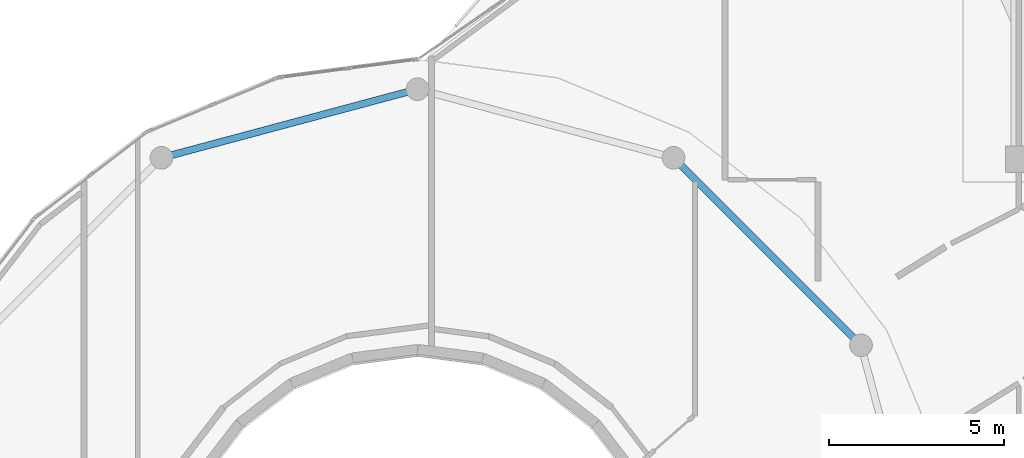
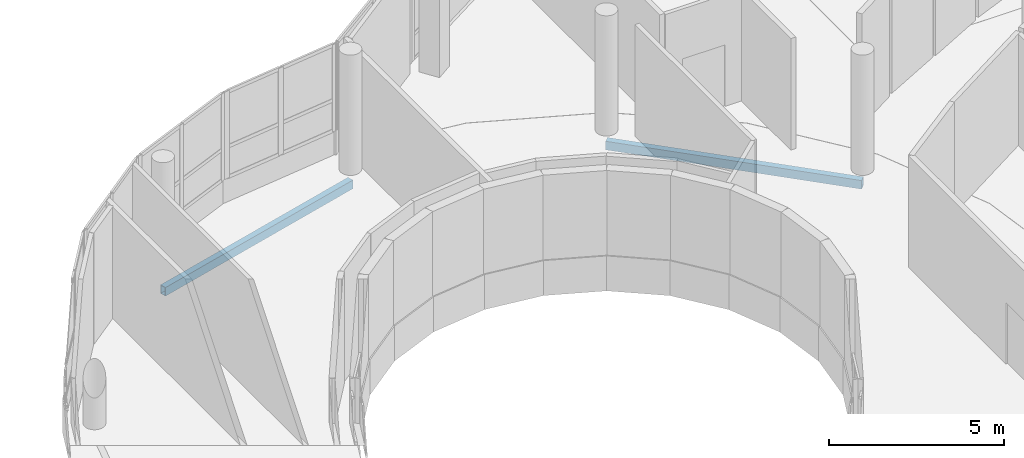
# One storey, part 62 of 184: 2 beams.
"""IFC4 building model written with IfcOpenShell, lengths in metres."""

from ifc_helpers import new_model, si_unit, direction, frame, origin, origin_2d, place, context, subcontext, project, spatial, hollow_rectangle, extrude, material, material_profile, profile_set, type_object, element, save


model = new_model("IFC4")

# Units and contexts
model_context = context("Model", 3, precision=1e-05, world=origin(), true_north=direction((0.0, 1.0)))
body_context = subcontext(model_context, "Body", "Model", "MODEL_VIEW")
ifc_project = project(units=[si_unit("LENGTHUNIT", "METRE"), si_unit("AREAUNIT", "SQUARE_METRE"), si_unit("VOLUMEUNIT", "CUBIC_METRE"), si_unit("PLANEANGLEUNIT", "RADIAN"), si_unit("MASSUNIT", "GRAM", prefix="KILO")], contexts=[model_context])

# Site, building, storey
site_placement = place(None, origin())
site = spatial("IfcSite", under=ifc_project, at=site_placement, CompositionType="ELEMENT")
building_placement = place(site_placement, origin())
building = spatial("IfcBuilding", under=site, at=building_placement, Name="Selatvlak General Hospital", CompositionType="ELEMENT")
storey_placement = place(building_placement, frame((0.0, 0.0, 15.0)))
storey = spatial("IfcBuildingStorey", under=building, at=storey_placement, Name="L03", CompositionType="ELEMENT", Elevation=15.0)

# Beams
ifc_material = material(Name="Steel S355", Category="steel")
ifc_material_profile = material_profile(ifc_material, hollow_rectangle(XDim=0.199951171875, YDim=0.300048828125, WallThickness=0.011962890625, at=origin_2d()), Name="RHS 300x200x12")
ifc_profile_set = profile_set([ifc_material_profile], Name="Steel S355")
beam_type = type_object("IfcBeamType", Name="BM-SP3", PredefinedType="SPANDREL", material=ifc_profile_set)
beam_1_placement = place(storey_placement, frame((110.68701171875, 61.324951171875, -0.489990234375), z_axis=(-0.707106781187, 0.707106781187, 0.0), x_axis=(-0.707106781187, -0.707106781187, 0.0)))
element("IfcBeam", 1, at=beam_1_placement, inside=storey, type_object=beam_type, Name="Beam BMR-L03-1452", PredefinedType="SPANDREL", context=body_context, shape_type="SweptSolid", body=[
    extrude(hollow_rectangle(XDim=0.199951171875, YDim=0.300048828125, WallThickness=0.011962890625, at=origin_2d()), origin(), (0.0, 0.0, 1.0), 7.5830078125),
])
beam_2_placement = place(storey_placement, frame((98.0, 68.64990234375, -0.489990234375), z_axis=(-0.965920028052, -0.25884068345, 0.0), x_axis=(0.25884068345, -0.965920028052, 0.0)))
element("IfcBeam", 2, at=beam_2_placement, inside=storey, type_object=beam_type, Name="Beam BMR-L03-1454", PredefinedType="SPANDREL", context=body_context, shape_type="SweptSolid", body=[
    extrude(hollow_rectangle(XDim=0.199951171875, YDim=0.300048828125, WallThickness=0.011962890625, at=origin_2d()), origin(), (0.0, 0.0, 1.0), 7.58349609375),
])

save(model, "model.ifc")
